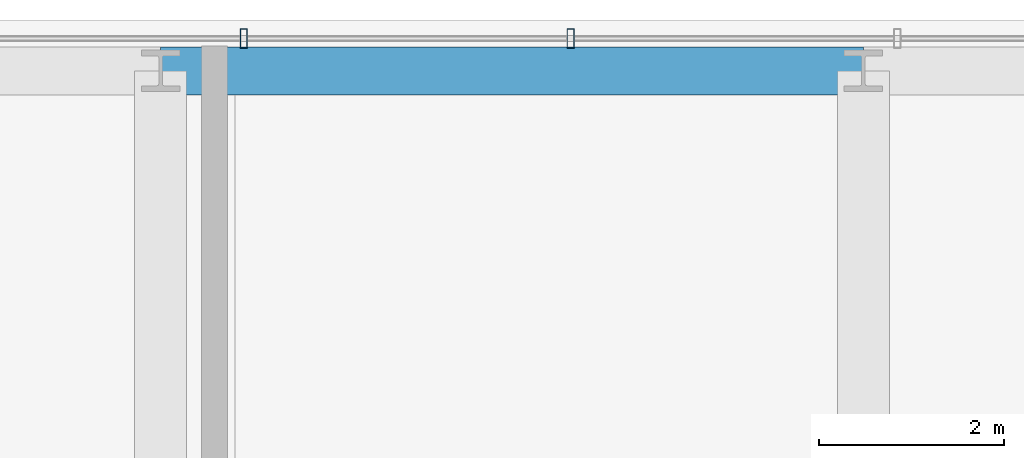
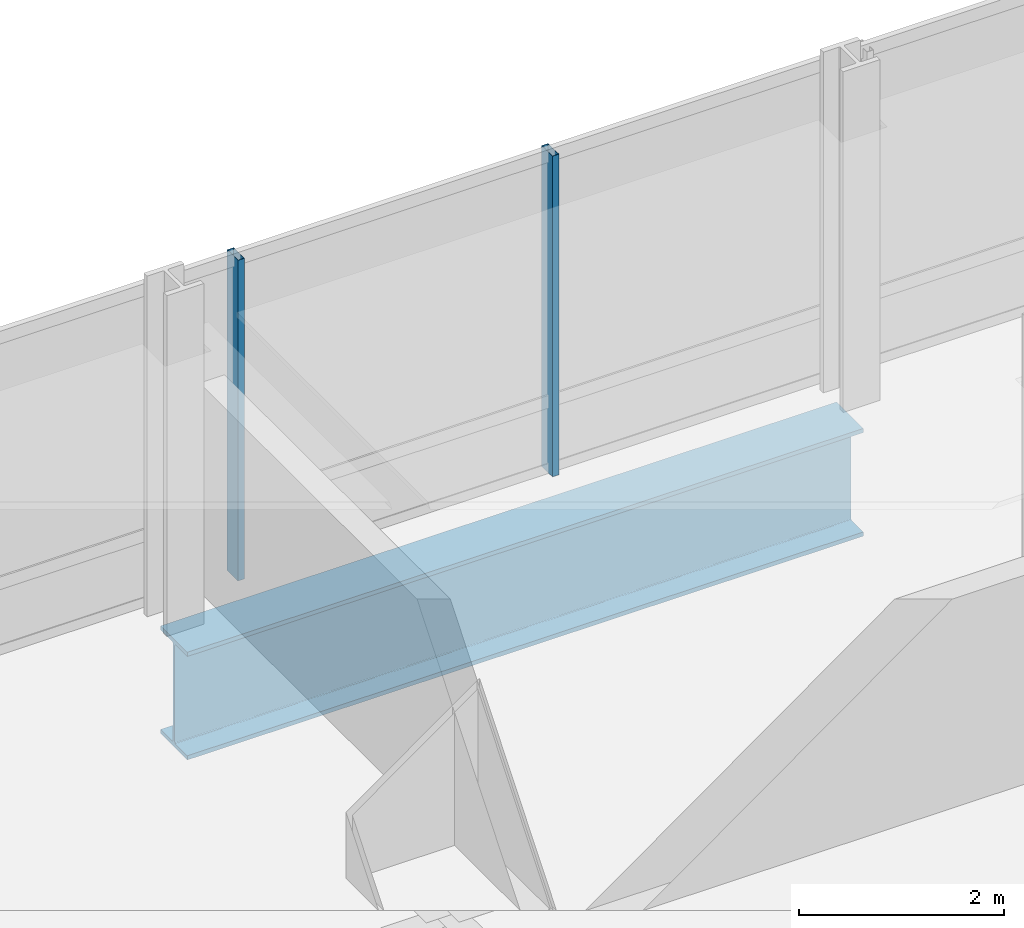
# One storey, part 21 of 34: 2 members, 1 beam, 1 element without a shape of its own.
"""IFC4 building model written with IfcOpenShell, lengths in metres."""

from ifc_helpers import new_model, si_unit, direction, frame, origin, origin_2d, place, context, subcontext, project, spatial, hollow_rectangle, i_section, extrude, material, material_profile, profile_set, type_object, element, aggregate, save


model = new_model("IFC4")

# Units and contexts
model_context = context("Model", 3, precision=1e-05, world=origin(), true_north=direction((0.0, 1.0)))
body_context = subcontext(model_context, "Body", "Model", "MODEL_VIEW")
ifc_project = project(units=[si_unit("LENGTHUNIT", "METRE"), si_unit("AREAUNIT", "SQUARE_METRE"), si_unit("VOLUMEUNIT", "CUBIC_METRE"), si_unit("PLANEANGLEUNIT", "RADIAN"), si_unit("MASSUNIT", "GRAM", prefix="KILO")], contexts=[model_context])

# Site, building, storey
site_placement = place(None, origin())
site = spatial("IfcSite", under=ifc_project, at=site_placement, CompositionType="ELEMENT")
building_placement = place(site_placement, origin())
building = spatial("IfcBuilding", under=site, at=building_placement, Name="Punatoya Terracotta Tower", CompositionType="ELEMENT")
storey_placement = place(building_placement, frame((0.0, 0.0, 105.14990234375)))
storey = spatial("IfcBuildingStorey", under=building, at=storey_placement, Name="L24", CompositionType="ELEMENT", Elevation=105.14990234375)

# Beam
ifc_material_1 = material(Name="Steel S460", Category="steel")
ifc_material_profile_1 = material_profile(ifc_material_1, i_section(OverallWidth=0.52001953125, OverallDepth=1.280029296875, WebThickness=0.031982421875, FlangeThickness=0.050048828125, FilletRadius=0.01806640625, at=origin_2d()))
ifc_profile_set_1 = profile_set([ifc_material_profile_1], Name="Steel S460")
beam_type = type_object("IfcBeamType", Name="BM-TG-NCK", PredefinedType="BEAM", material=ifc_profile_set_1)
beam_placement = place(storey_placement, frame((-3.800048828125, 22.89990234375, -0.8798828125), z_axis=(1.0, 0.0, 0.0), x_axis=(0.0, 1.0, 0.0)))
element("IfcBeam", 1, at=beam_placement, inside=storey, type_object=beam_type, Name="BM-L24-PER-N2", PredefinedType="BEAM", context=body_context, shape_type="SweptSolid", body=[
    extrude(i_section(OverallWidth=0.52001953125, OverallDepth=1.280029296875, WebThickness=0.031982421875, FlangeThickness=0.050048828125, FilletRadius=0.01806640625, at=origin_2d()), origin(), (0.0, 0.0, 1.0), 7.60009765625),
])

# Curtain wall, members
ifc_material_2 = material(Name="Aluminium 6063-T6 + Double Low-E Glass", Category="aluminium")
curtain_wall_type = type_object("IfcCurtainWallType", Name="CW-M1", PredefinedType="NOTDEFINED", material=ifc_material_2)
curtain_wall_placement = place(storey_placement, origin())
curtain_wall = element("IfcCurtainWall", 2, at=curtain_wall_placement, inside=storey, type_object=curtain_wall_type, Name="L24 Curtain Wall CW-L24-N09-1", PredefinedType="NOTDEFINED")
ifc_material_3 = material(Name="Aluminium 6063-T6", Category="aluminium")
ifc_material_profile_2 = material_profile(ifc_material_3, hollow_rectangle(XDim=0.074951171875, YDim=0.2099609375, WallThickness=0.00439453125, at=origin_2d()))
ifc_profile_set_2 = profile_set([ifc_material_profile_2], Name="Aluminium 6063-T6")
member_type = type_object("IfcMemberType", Name="CW-MUL-M1", PredefinedType="MULLION", material=ifc_profile_set_2)
member_1_placement = place(storey_placement, frame((0.633056640625, 23.25, 0.0), z_axis=(0.0, 0.0, 1.0), x_axis=(1.0, 0.0, 0.0)))
member_1 = element("IfcMember", 3, at=member_1_placement, type_object=member_type, Name="CW-L24-N09-1 Mullion 06", PredefinedType="MULLION", context=body_context, shape_type="SweptSolid", body=[
    extrude(hollow_rectangle(XDim=0.074951171875, YDim=0.2099609375, WallThickness=0.00439453125, at=origin_2d()), origin(), (0.0, 0.0, 1.0), 3.81005859375),
])
member_2_placement = place(storey_placement, frame((-2.90087890625, 23.25, 0.0), z_axis=(0.0, 0.0, 1.0), x_axis=(1.0, 0.0, 0.0)))
member_2 = element("IfcMember", 4, at=member_2_placement, type_object=member_type, Name="CW-L24-N09-1 Mullion 07", PredefinedType="MULLION", context=body_context, shape_type="SweptSolid", body=[
    extrude(hollow_rectangle(XDim=0.074951171875, YDim=0.2099609375, WallThickness=0.00439453125, at=origin_2d()), origin(), (0.0, 0.0, 1.0), 3.81005859375),
])
aggregate(curtain_wall, [member_1, member_2])

save(model, "model.ifc")
